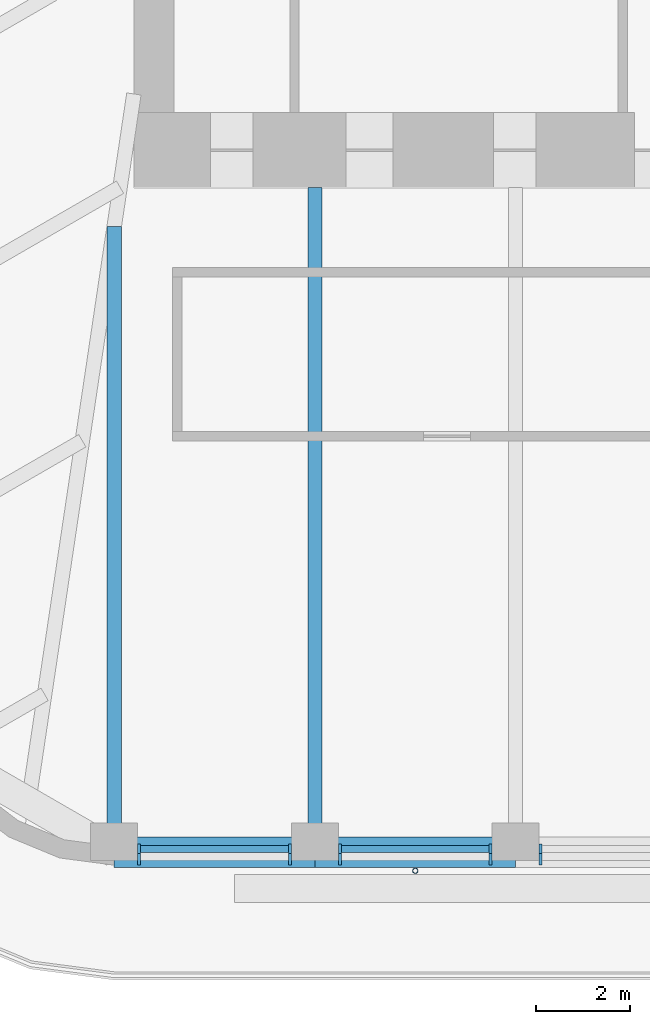
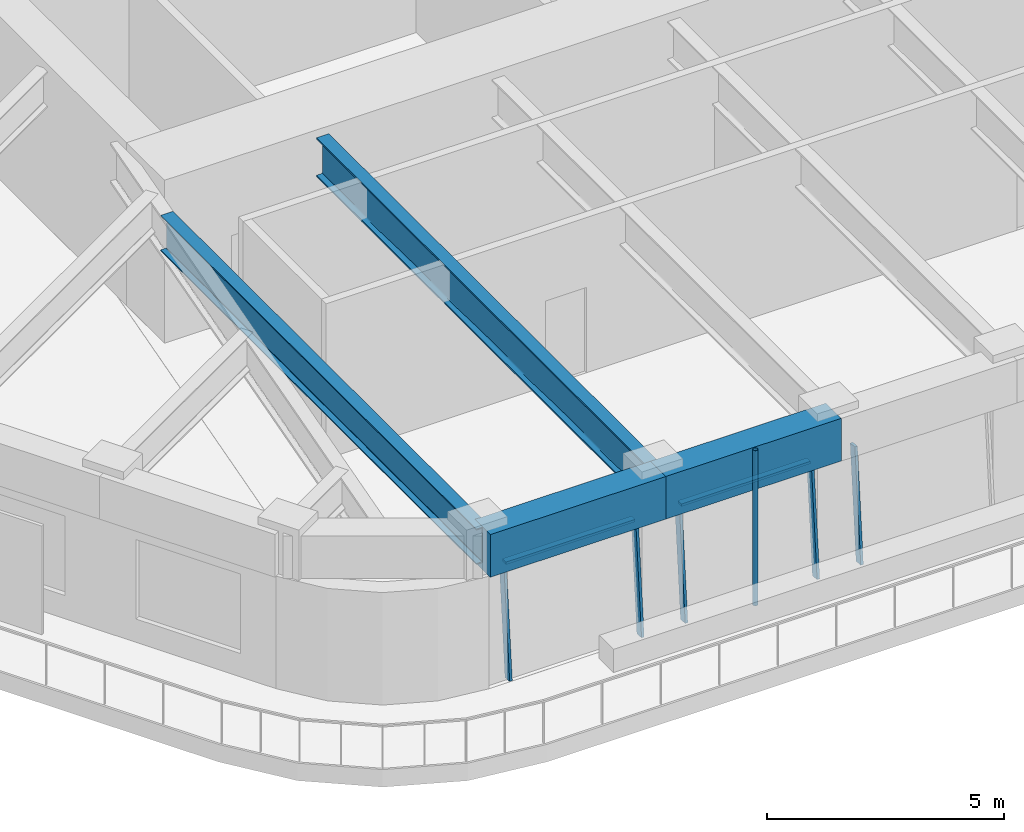
# One storey, part 2 of 19: 8 members, 4 beams, 3 elements without a shape of their own.
"""IFC4 building model written with IfcOpenShell, lengths in metres."""

from ifc_helpers import new_model, si_unit, direction, frame, origin, origin_2d, place, context, subcontext, project, spatial, rectangle, hollow_circle, i_section, extrude, material, material_profile, profile_set, type_object, element, aggregate, save


model = new_model("IFC4")

# Units and contexts
model_context = context("Model", 3, precision=1e-05, world=origin(), true_north=direction((0.0, 1.0)))
body_context = subcontext(model_context, "Body", "Model", "MODEL_VIEW")
ifc_project = project(units=[si_unit("LENGTHUNIT", "METRE"), si_unit("AREAUNIT", "SQUARE_METRE"), si_unit("VOLUMEUNIT", "CUBIC_METRE"), si_unit("PLANEANGLEUNIT", "RADIAN"), si_unit("MASSUNIT", "GRAM", prefix="KILO")], contexts=[model_context])

# Site, building, storey
site_placement = place(None, origin())
site = spatial("IfcSite", under=ifc_project, at=site_placement, CompositionType="ELEMENT")
building_placement = place(site_placement, origin())
building = spatial("IfcBuilding", under=site, at=building_placement, Name="Tarfa Lantern Tower", CompositionType="ELEMENT")
storey_placement = place(building_placement, frame((0.0, 0.0, 349.300048828125)))
storey = spatial("IfcBuildingStorey", under=building, at=storey_placement, Name="L79", CompositionType="ELEMENT", Elevation=349.300048828125)

# Curtain wall, members
ifc_material_1 = material(Name="Aluminium framed curtain wall", Category="aluminium")
curtain_wall_type = type_object("IfcCurtainWallType", Name="CW4 CANTED GLAZING EXECUTIVE ZONE 2900", PredefinedType="USERDEFINED", material=ifc_material_1)
curtain_wall_1_placement = place(storey_placement, origin())
curtain_wall_1 = element("IfcCurtainWall", 1, at=curtain_wall_1_placement, inside=storey, type_object=curtain_wall_type, Name="CW4 S L79", ObjectType="CURTAIN WALL", PredefinedType="USERDEFINED")
ifc_material_2 = material(Name="Aluminium mullion", Category="aluminium")
ifc_material_profile_1 = material_profile(ifc_material_2, rectangle(XDim=0.06494140625, YDim=0.199951171875, at=origin_2d()), Name="AL MULLION 65x200")
ifc_profile_set_1 = profile_set([ifc_material_profile_1], Name="Aluminium mullion")
member_type_1 = type_object("IfcMemberType", Name="CWM1 MULLION 65x200", PredefinedType="MULLION", material=ifc_profile_set_1)
member_1_placement = place(storey_placement, frame((-12.3134765625, -26.64990234375, 0.0), z_axis=(0.0, 0.085891213166, 0.99630452147), x_axis=(-1.0, 0.0, 0.0)))
member_1 = element("IfcMember", 2, at=member_1_placement, type_object=member_type_1, Name="CW4 mullion 1", PredefinedType="MULLION", context=body_context, shape_type="SweptSolid", body=[
    extrude(rectangle(XDim=0.06494140625, YDim=0.199951171875, at=origin_2d()), origin(), (0.0, 0.0, 1.0), 2.91064453125),
])
member_2_placement = place(storey_placement, frame((-9.096435546875, -26.64990234375, 0.0), z_axis=(0.0, 0.085891213166, 0.99630452147), x_axis=(-1.0, 0.0, 0.0)))
member_2 = element("IfcMember", 3, at=member_2_placement, type_object=member_type_1, Name="CW4 mullion 2", PredefinedType="MULLION", context=body_context, shape_type="SweptSolid", body=[
    extrude(rectangle(XDim=0.06494140625, YDim=0.199951171875, at=origin_2d()), origin(), (0.0, 0.0, 1.0), 2.91064453125),
])

curtain_wall_2_placement = place(storey_placement, origin())
curtain_wall_2 = element("IfcCurtainWall", 4, at=curtain_wall_2_placement, inside=storey, type_object=curtain_wall_type, Name="CW4 S L79", ObjectType="CURTAIN WALL", PredefinedType="USERDEFINED")
member_3_placement = place(storey_placement, frame((-8.031494140625, -26.64990234375, 0.0), z_axis=(0.0, 0.085891213166, 0.99630452147), x_axis=(-1.0, 0.0, 0.0)))
member_3 = element("IfcMember", 5, at=member_3_placement, type_object=member_type_1, Name="CW4 mullion 1", PredefinedType="MULLION", context=body_context, shape_type="SweptSolid", body=[
    extrude(rectangle(XDim=0.06494140625, YDim=0.199951171875, at=origin_2d()), origin(), (0.0, 0.0, 1.0), 2.91064453125),
])
member_4_placement = place(storey_placement, frame((-4.814453125, -26.64990234375, 0.0), z_axis=(0.0, 0.085891213166, 0.99630452147), x_axis=(-1.0, 0.0, 0.0)))
member_4 = element("IfcMember", 6, at=member_4_placement, type_object=member_type_1, Name="CW4 mullion 2", PredefinedType="MULLION", context=body_context, shape_type="SweptSolid", body=[
    extrude(rectangle(XDim=0.06494140625, YDim=0.199951171875, at=origin_2d()), origin(), (0.0, 0.0, 1.0), 2.91064453125),
])

# Curtain wall, member
curtain_wall_3_placement = place(storey_placement, origin())
curtain_wall_3 = element("IfcCurtainWall", 7, at=curtain_wall_3_placement, inside=storey, type_object=curtain_wall_type, Name="CW4 S L79", ObjectType="CURTAIN WALL", PredefinedType="USERDEFINED")
member_5_placement = place(storey_placement, frame((-3.74951171875, -26.64990234375, 0.0), z_axis=(0.0, 0.085891213166, 0.99630452147), x_axis=(-1.0, 0.0, 0.0)))
member_5 = element("IfcMember", 8, at=member_5_placement, type_object=member_type_1, Name="CW4 mullion 1", PredefinedType="MULLION", context=body_context, shape_type="SweptSolid", body=[
    extrude(rectangle(XDim=0.06494140625, YDim=0.199951171875, at=origin_2d()), origin(), (0.0, 0.0, 1.0), 2.91064453125),
])
aggregate(curtain_wall_3, [member_5])

# Member
ifc_material_3 = material(Name="Aluminium transom", Category="aluminium")
ifc_material_profile_2 = material_profile(ifc_material_3, rectangle(XDim=0.14990234375, YDim=0.06494140625, at=origin_2d()), Name="AL TRANSOM 150x65")
ifc_profile_set_2 = profile_set([ifc_material_profile_2], Name="Aluminium transom")
member_type_2 = type_object("IfcMemberType", Name="CWT1 TRANSOM 150x65", PredefinedType="USERDEFINED", material=ifc_profile_set_2)
member_6_placement = place(storey_placement, frame((-12.281005859375, -26.40283203125, 2.867431640625), z_axis=(1.0, 0.0, 0.0), x_axis=(0.0, 1.0, 0.0)))
member_6 = element("IfcMember", 9, at=member_6_placement, type_object=member_type_2, Name="CW4 transom 1.2", ObjectType="TRANSOM", PredefinedType="USERDEFINED", context=body_context, shape_type="SweptSolid", body=[
    extrude(rectangle(XDim=0.14990234375, YDim=0.06494140625, at=origin_2d()), origin(), (0.0, 0.0, 1.0), 3.15185546875),
])

aggregate(curtain_wall_1, [member_1, member_2, member_6])

member_7_placement = place(storey_placement, frame((-7.9990234375, -26.40283203125, 2.867431640625), z_axis=(1.0, 0.0, 0.0), x_axis=(0.0, 1.0, 0.0)))
member_7 = element("IfcMember", 10, at=member_7_placement, type_object=member_type_2, Name="CW4 transom 1.2", ObjectType="TRANSOM", PredefinedType="USERDEFINED", context=body_context, shape_type="SweptSolid", body=[
    extrude(rectangle(XDim=0.14990234375, YDim=0.06494140625, at=origin_2d()), origin(), (0.0, 0.0, 1.0), 3.152099609375),
])

aggregate(curtain_wall_2, [member_3, member_4, member_7])

# Beams
ifc_material_4 = material(Name="Concrete C80/95", Category="concrete")
ifc_material_profile_3 = material_profile(ifc_material_4, rectangle(XDim=0.64990234375, YDim=1.10009765625, at=origin_2d()), Name="RC 650x1100")
ifc_profile_set_3 = profile_set([ifc_material_profile_3], Name="Concrete C80/95")
beam_type_1 = type_object("IfcBeamType", Name="EB4 RC 650x1100", PredefinedType="SPANDREL", material=ifc_profile_set_3)
for number, where, z_axis, x_axis, name in (
    (11, (-12.845947265625, -26.469970703125, 3.449951171875), (1.0, 0.0, 0.0), (0.0, 1.0, 0.0), "Edge beam S0"),
    (12, (-8.56396484375, -26.469970703125, 3.449951171875), (1.0, 0.0, 0.0), (0.0, 1.0, 0.0), "Edge beam S1"),
):
    element("IfcBeam", number, at=place(storey_placement, frame(where, z_axis=z_axis, x_axis=x_axis)), inside=storey, type_object=beam_type_1, Name=name, PredefinedType="SPANDREL", context=body_context, shape_type="SweptSolid", body=[
        extrude(rectangle(XDim=0.64990234375, YDim=1.10009765625, at=origin_2d()), origin(), (0.0, 0.0, 1.0), 4.281982421875),
    ])

# Member
ifc_material_5 = material(Name="Steel S355", Category="steel")
ifc_material_profile_4 = material_profile(ifc_material_5, hollow_circle(Radius=0.05712890625, WallThickness=0.00634765625, at=origin_2d()), Name="CHS114.3x6.3")
ifc_profile_set_4 = profile_set([ifc_material_profile_4], Name="Steel S355")
member_type_3 = type_object("IfcMemberType", Name="TR1 GREEN WALL TRELLIS CHS114.3x6.3", PredefinedType="USERDEFINED", material=ifc_profile_set_4)
member_8_placement = place(storey_placement, frame((-6.423095703125, -26.8701171875, 0.0), z_axis=(0.0, 0.0, 1.0), x_axis=(1.0, 0.0, 0.0)))
element("IfcMember", 13, at=member_8_placement, inside=storey, type_object=member_type_3, Name="Trellis post S 1", ObjectType="TRELLIS", PredefinedType="USERDEFINED", context=body_context, shape_type="SweptSolid", body=[
    extrude(hollow_circle(Radius=0.05712890625, WallThickness=0.00634765625, at=origin_2d()), origin(), (0.0, 0.0, 1.0), 4.0),
])

# Beams
ifc_material_6 = material(Name="Steel S460M", Category="steel")
ifc_material_profile_5 = material_profile(ifc_material_6, i_section(OverallWidth=0.302001953125, OverallDepth=1.008056640625, WebThickness=0.02099609375, FlangeThickness=0.0400390625, FilletRadius=0.030029296875, at=origin_2d()), Name="UB1016x305x349")
ifc_profile_set_5 = profile_set([ifc_material_profile_5], Name="Steel S460M")
beam_type_2 = type_object("IfcBeamType", Name="UB1016x305x349", PredefinedType="BEAM", material=ifc_profile_set_5)
beam_1_placement = place(storey_placement, frame((-8.56396484375, -26.469970703125, 3.495849609375), z_axis=(0.0, 1.0, 0.0), x_axis=(-1.0, 0.0, 0.0)))
element("IfcBeam", 14, at=beam_1_placement, inside=storey, type_object=beam_type_2, Name="Floor beam S1", PredefinedType="BEAM", context=body_context, shape_type="SweptSolid", body=[
    extrude(i_section(OverallWidth=0.302001953125, OverallDepth=1.008056640625, WebThickness=0.02099609375, FlangeThickness=0.0400390625, FilletRadius=0.030029296875, at=origin_2d()), origin(), (0.0, 0.0, 1.0), 14.169921875),
])
ifc_material_profile_6 = material_profile(ifc_material_6, i_section(OverallWidth=0.305419921875, OverallDepth=0.91845703125, WebThickness=0.017333984375, FlangeThickness=0.02783203125, FilletRadius=0.01904296875, at=origin_2d()), Name="UB914x305x253")
ifc_profile_set_6 = profile_set([ifc_material_profile_6], Name="Steel S460M")
beam_type_3 = type_object("IfcBeamType", Name="UB914x305x253", PredefinedType="BEAM", material=ifc_profile_set_6)
beam_2_placement = place(storey_placement, frame((-12.845947265625, -26.469970703125, 3.540771484375), z_axis=(0.0, 1.0, 0.0), x_axis=(-1.0, 0.0, 0.0)))
element("IfcBeam", 15, at=beam_2_placement, inside=storey, type_object=beam_type_3, Name="Floor beam S0", PredefinedType="BEAM", context=body_context, shape_type="SweptSolid", body=[
    extrude(i_section(OverallWidth=0.305419921875, OverallDepth=0.91845703125, WebThickness=0.017333984375, FlangeThickness=0.02783203125, FilletRadius=0.01904296875, at=origin_2d()), origin(), (0.0, 0.0, 1.0), 13.33935546875),
])

save(model, "model.ifc")
